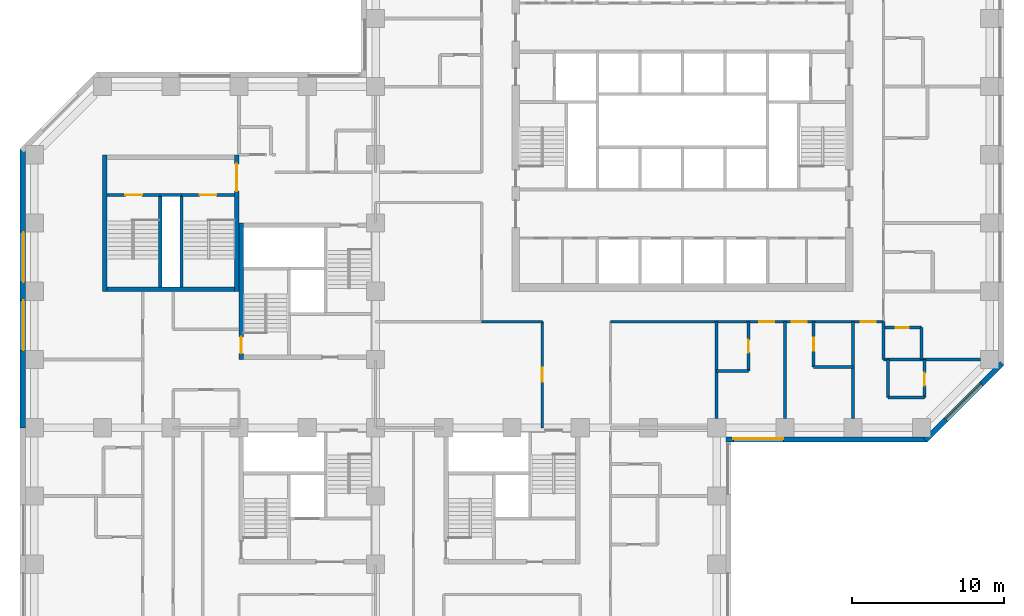
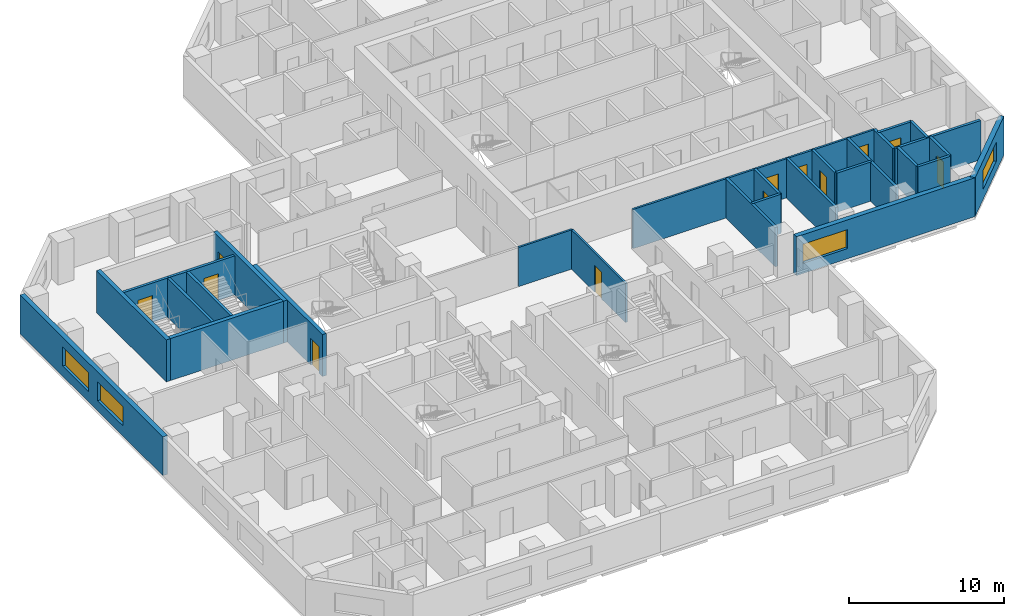
# One storey, part 5 of 12: 29 walls, 12 doors, 4 windows, 16 openings.
"""IFC4 building model written with IfcOpenShell, lengths in metres."""

from ifc_helpers import new_model, si_unit, direction, frame, frame_2d, origin, place, context, subcontext, project, spatial, rectangle, extrude, material, layer, layer_set, constituent, constituent_set, type_object, element, fill, save


model = new_model("IFC4")

# Units and contexts
model_context = context("Model", 3, precision=1e-05, world=origin(), true_north=direction((0.0, 1.0)))
body_context = subcontext(model_context, "Body", "Model", "MODEL_VIEW")
ifc_project = project(units=[si_unit("LENGTHUNIT", "METRE"), si_unit("AREAUNIT", "SQUARE_METRE"), si_unit("VOLUMEUNIT", "CUBIC_METRE"), si_unit("PLANEANGLEUNIT", "RADIAN"), si_unit("MASSUNIT", "GRAM", prefix="KILO")], contexts=[model_context])

# Site, building, storey
site_placement = place(None, origin())
site = spatial("IfcSite", under=ifc_project, at=site_placement, CompositionType="ELEMENT")
building_placement = place(site_placement, origin())
building = spatial("IfcBuilding", under=site, at=building_placement, Name="Quoin Convention Tower", CompositionType="ELEMENT")
storey_placement = place(building_placement, frame((0.0, 0.0, 42.89990234375)))
storey = spatial("IfcBuildingStorey", under=building, at=storey_placement, Name="L10", CompositionType="ELEMENT", Elevation=42.89990234375)

# Wall, opening, window
ifc_material_1 = material(Name="Brick masonry", Category="masonry")
ifc_layer_1 = layer(ifc_material_1, 0.35009765625)
ifc_layer_set_1 = layer_set([ifc_layer_1], Name="Brick masonry")
wall_type_1 = type_object("IfcWallType", Name="Brick facade wall", PredefinedType="STANDARD", material=ifc_layer_set_1)
wall_1_placement = place(storey_placement, frame((59.10009765625, 39.72509765625, 0.0), z_axis=(0.0, 0.0, 1.0), x_axis=(1.0, 0.0, 0.0)))
wall_1 = element("IfcWall", 1, at=wall_1_placement, inside=storey, type_object=wall_type_1, Name="fw-L10-58500_40500", PredefinedType="STANDARD", context=body_context, shape_type="SweptSolid", body=[
    extrude(rectangle(XDim=13.29345703125, YDim=0.35009765625, at=frame_2d((6.646728515625, 0.0))), origin(), (0.0, 0.0, 1.0), 3.05517578125),
])
opening_1_placement = place(wall_1_placement, frame((0.5, 0.0, 0.800048828125)))
opening_1 = element("IfcOpeningElement", 2, at=opening_1_placement, cuts=wall_1, Name="Opening W-01", PredefinedType="OPENING", context=body_context, shape_type="SweptSolid", body=[
    extrude(rectangle(XDim=3.300048828125, YDim=1.5, at=frame_2d((1.64990234375, 0.75))), frame((0.0, 0.18505859375, 0.0), z_axis=(0.0, -1.0, 0.0), x_axis=(1.0, 0.0, 0.0)), (0.0, 0.0, 1.0), 0.3701171875),
])
ifc_material_2 = material(Name="Aluminium", Category="aluminium")
ifc_constituent_1 = constituent(ifc_material_2, Name="Frame")
ifc_material_3 = material(Name="Insulated glass", Category="glass")
ifc_constituent_2 = constituent(ifc_material_3, Name="Glazing")
ifc_constituent_set = constituent_set(constituents=[ifc_constituent_1, ifc_constituent_2], Name="Aluminium")
window_type = type_object("IfcWindowType", Name="Hotel strip window", PartitioningType="DOUBLE_PANEL_VERTICAL", PredefinedType="WINDOW", material=ifc_constituent_set)
window_1_placement = place(opening_1_placement, origin())
window_1 = element("IfcWindow", 3, at=window_1_placement, inside=storey, type_object=window_type, Name="win-L10-60750_39725", OverallHeight=1.5, OverallWidth=3.300048828125, PartitioningType="SINGLE_PANEL", PredefinedType="WINDOW", context=body_context, shape_type="SweptSolid", body=[
    extrude(rectangle(XDim=3.300048828125, YDim=1.5, at=frame_2d((1.64990234375, 0.75))), frame((0.0, 0.0849609375, 0.0), z_axis=(0.0, -1.0, 0.0), x_axis=(1.0, 0.0, 0.0)), (0.0, 0.0, 1.0), 0.06005859375),
])
fill(opening_1, window_1)

wall_2_placement = place(storey_placement, frame((72.269775390625, 39.673583984375, 0.0), z_axis=(0.0, 0.0, 1.0), x_axis=(0.707106781187, 0.707106781187, 0.0)))
wall_2 = element("IfcWall", 4, at=wall_2_placement, inside=storey, type_object=wall_type_1, Name="fw-L10-72000_40500", PredefinedType="STANDARD", context=body_context, shape_type="SweptSolid", body=[
    extrude(rectangle(XDim=7.151123046875, YDim=0.35009765625, at=frame_2d((3.57568359375, 0.0))), origin(), (0.0, 0.0, 1.0), 3.05517578125),
])
opening_2_placement = place(wall_2_placement, frame((1.925537109375, 0.0, 0.800048828125)))
opening_2 = element("IfcOpeningElement", 5, at=opening_2_placement, cuts=wall_2, Name="Opening W-01", PredefinedType="OPENING", context=body_context, shape_type="SweptSolid", body=[
    extrude(rectangle(XDim=3.300048828125, YDim=1.5, at=frame_2d((1.64990234375, 0.75))), frame((0.0, 0.18505859375, 0.0), z_axis=(0.0, -1.0, 0.0), x_axis=(1.0, 0.0, 0.0)), (0.0, 0.0, 1.0), 0.3701171875),
])
window_2_placement = place(opening_2_placement, origin())
window_2 = element("IfcWindow", 6, at=window_2_placement, inside=storey, type_object=window_type, Name="win-L10-74798_42202", OverallHeight=1.5, OverallWidth=3.300048828125, PartitioningType="SINGLE_PANEL", PredefinedType="WINDOW", context=body_context, shape_type="SweptSolid", body=[
    extrude(rectangle(XDim=3.300048828125, YDim=1.5, at=frame_2d((1.64990234375, 0.75))), frame((0.0, 0.0849609375, 0.0), z_axis=(0.0, -1.0, 0.0), x_axis=(1.0, 0.0, 0.0)), (0.0, 0.0, 1.0), 0.06005859375),
])
fill(opening_2, window_2)

# Wall, openings, windows
wall_3_placement = place(storey_placement, frame((12.72509765625, 58.8935546875, 0.0), z_axis=(0.0, 0.0, 1.0), x_axis=(0.0, -1.0, 0.0)))
wall_3 = element("IfcWall", 7, at=wall_3_placement, inside=storey, type_object=wall_type_1, Name="fw-L10-13500_58500", PredefinedType="STANDARD", context=body_context, shape_type="SweptSolid", body=[
    extrude(rectangle(XDim=18.3935546875, YDim=0.35009765625, at=frame_2d((9.19677734375, 0.0))), origin(), (0.0, 0.0, 1.0), 3.05517578125),
])
opening_3_placement = place(wall_3_placement, frame((5.493408203125, 0.0, 0.800048828125)))
opening_3 = element("IfcOpeningElement", 8, at=opening_3_placement, cuts=wall_3, Name="Opening W-01", PredefinedType="OPENING", context=body_context, shape_type="SweptSolid", body=[
    extrude(rectangle(XDim=3.300048828125, YDim=1.5, at=frame_2d((1.64990234375, 0.75))), frame((0.0, 0.18505859375, 0.0), z_axis=(0.0, -1.0, 0.0), x_axis=(1.0, 0.0, 0.0)), (0.0, 0.0, 1.0), 0.3701171875),
])
opening_4_placement = place(wall_3_placement, frame((9.993408203125, 0.0, 0.800048828125)))
opening_4 = element("IfcOpeningElement", 9, at=opening_4_placement, cuts=wall_3, Name="Opening W-01", PredefinedType="OPENING", context=body_context, shape_type="SweptSolid", body=[
    extrude(rectangle(XDim=3.300048828125, YDim=1.5, at=frame_2d((1.64990234375, 0.75))), frame((0.0, 0.18505859375, 0.0), z_axis=(0.0, -1.0, 0.0), x_axis=(1.0, 0.0, 0.0)), (0.0, 0.0, 1.0), 0.3701171875),
])
window_3_placement = place(opening_3_placement, origin())
window_3 = element("IfcWindow", 10, at=window_3_placement, inside=storey, type_object=window_type, Name="win-L10-12725_51750", OverallHeight=1.5, OverallWidth=3.300048828125, PartitioningType="SINGLE_PANEL", PredefinedType="WINDOW", context=body_context, shape_type="SweptSolid", body=[
    extrude(rectangle(XDim=3.300048828125, YDim=1.5, at=frame_2d((1.64990234375, 0.75))), frame((0.0, 0.0849609375, 0.0), z_axis=(0.0, -1.0, 0.0), x_axis=(1.0, 0.0, 0.0)), (0.0, 0.0, 1.0), 0.06005859375),
])
fill(opening_3, window_3)
window_4_placement = place(opening_4_placement, origin())
window_4 = element("IfcWindow", 11, at=window_4_placement, inside=storey, type_object=window_type, Name="win-L10-12725_47250", OverallHeight=1.5, OverallWidth=3.300048828125, PartitioningType="SINGLE_PANEL", PredefinedType="WINDOW", context=body_context, shape_type="SweptSolid", body=[
    extrude(rectangle(XDim=3.300048828125, YDim=1.5, at=frame_2d((1.64990234375, 0.75))), frame((0.0, 0.0849609375, 0.0), z_axis=(0.0, -1.0, 0.0), x_axis=(1.0, 0.0, 0.0)), (0.0, 0.0, 1.0), 0.06005859375),
])
fill(opening_4, window_4)

# Wall
ifc_material_4 = material(Name="Concrete C50", Category="concrete")
ifc_layer_2 = layer(ifc_material_4, 0.199951171875)
ifc_layer_set_2 = layer_set([ifc_layer_2], Name="Concrete C50")
wall_type_2 = type_object("IfcWallType", Name="Core shaft wall", PredefinedType="SOLIDWALL", material=ifc_layer_set_2)
wall_4_placement = place(storey_placement, frame((21.800048828125, 55.85009765625, 0.0), z_axis=(0.0, 0.0, 1.0), x_axis=(1.0, 0.0, 0.0)))
element("IfcWall", 12, at=wall_4_placement, inside=storey, type_object=wall_type_2, Name="cr-P6-L10-h6350_3800", PredefinedType="SOLIDWALL", context=body_context, shape_type="SweptSolid", body=[
    extrude(rectangle(XDim=1.39990234375, YDim=0.199951171875, at=frame_2d((0.699951171875, 0.0))), origin(), (0.0, 0.0, 1.0), 3.080078125),
])

# Wall, opening, door
wall_5_placement = place(storey_placement, frame((18.300048828125, 55.85009765625, 0.0), z_axis=(0.0, 0.0, 1.0), x_axis=(1.0, 0.0, 0.0)))
wall_5 = element("IfcWall", 13, at=wall_5_placement, inside=storey, type_object=wall_type_2, Name="cr-P6-L10-h6350_300", PredefinedType="SOLIDWALL", context=body_context, shape_type="SweptSolid", body=[
    extrude(rectangle(XDim=3.5, YDim=0.199951171875, at=frame_2d((1.75, 0.0))), origin(), (0.0, 0.0, 1.0), 3.080078125),
])
opening_5_placement = place(wall_5_placement, frame((1.199951171875, 0.0, 0.0)))
opening_5 = element("IfcOpeningElement", 14, at=opening_5_placement, cuts=wall_5, Name="Opening SD11", PredefinedType="OPENING", context=body_context, shape_type="SweptSolid", body=[
    extrude(rectangle(XDim=1.10009765625, YDim=2.10009765625, at=frame_2d((0.550048828125, 1.050048828125))), frame((0.0, 0.10986328125, 0.0), z_axis=(0.0, -1.0, 0.0), x_axis=(1.0, 0.0, 0.0)), (0.0, 0.0, 1.0), 0.219970703125),
])
ifc_material_5 = material(Name="Steel door leaf", Category="steel")
door_type_1 = type_object("IfcDoorType", Name="Stair door 1100 x 2100", OperationType="SINGLE_SWING_RIGHT", PredefinedType="DOOR", material=ifc_material_5)
door_1_placement = place(opening_5_placement, origin())
door_1 = element("IfcDoor", 15, at=door_1_placement, inside=storey, type_object=door_type_1, Name="cd-P6-L10-SA-R2-SD11", OperationType="SINGLE_SWING_RIGHT", OverallHeight=2.10009765625, OverallWidth=1.10009765625, PredefinedType="DOOR", context=body_context, shape_type="SweptSolid", body=[
    extrude(rectangle(XDim=1.10009765625, YDim=2.10009765625, at=frame_2d((0.550048828125, 1.050048828125))), frame((0.0, 0.02490234375, 0.0), z_axis=(0.0, -1.0, 0.0), x_axis=(1.0, 0.0, 0.0)), (0.0, 0.0, 1.0), 0.050048828125),
])
fill(opening_5, door_1)

wall_6_placement = place(storey_placement, frame((23.199951171875, 55.85009765625, 0.0), z_axis=(0.0, 0.0, 1.0), x_axis=(1.0, 0.0, 0.0)))
wall_6 = element("IfcWall", 16, at=wall_6_placement, inside=storey, type_object=wall_type_2, Name="cr-P6-L10-h6350_5200", PredefinedType="SOLIDWALL", context=body_context, shape_type="SweptSolid", body=[
    extrude(rectangle(XDim=3.5, YDim=0.199951171875, at=frame_2d((1.75, 0.0))), origin(), (0.0, 0.0, 1.0), 3.080078125),
])
opening_6_placement = place(wall_6_placement, frame((1.199951171875, 0.0, 0.0)))
opening_6 = element("IfcOpeningElement", 17, at=opening_6_placement, cuts=wall_6, Name="Opening SD12", PredefinedType="OPENING", context=body_context, shape_type="SweptSolid", body=[
    extrude(rectangle(XDim=1.10009765625, YDim=2.10009765625, at=frame_2d((0.550048828125, 1.050048828125))), frame((0.0, 0.10986328125, 0.0), z_axis=(0.0, -1.0, 0.0), x_axis=(1.0, 0.0, 0.0)), (0.0, 0.0, 1.0), 0.219970703125),
])
door_2_placement = place(opening_6_placement, origin())
door_2 = element("IfcDoor", 18, at=door_2_placement, inside=storey, type_object=door_type_1, Name="cd-P6-L10-SB-R2-SD12", OperationType="SINGLE_SWING_RIGHT", OverallHeight=2.10009765625, OverallWidth=1.10009765625, PredefinedType="DOOR", context=body_context, shape_type="SweptSolid", body=[
    extrude(rectangle(XDim=1.10009765625, YDim=2.10009765625, at=frame_2d((0.550048828125, 1.050048828125))), frame((0.0, 0.02490234375, 0.0), z_axis=(0.0, -1.0, 0.0), x_axis=(1.0, 0.0, 0.0)), (0.0, 0.0, 1.0), 0.050048828125),
])
fill(opening_6, door_2)

# Walls
for number, where, z_axis, x_axis, name in (
    (19, (21.800048828125, 49.800048828125, 0.0), (0.0, 0.0, 1.0), (0.0, 1.0, 0.0), "cr-P6-L10-v3800_300"),
    (20, (23.199951171875, 49.800048828125, 0.0), (0.0, 0.0, 1.0), (0.0, 1.0, 0.0), "cr-P6-L10-v5200_300"),
):
    element("IfcWall", number, at=place(storey_placement, frame(where, z_axis=z_axis, x_axis=x_axis)), inside=storey, type_object=wall_type_2, Name=name, PredefinedType="SOLIDWALL", context=body_context, shape_type="SweptSolid", body=[
        extrude(rectangle(XDim=6.050048828125, YDim=0.199951171875, at=frame_2d((3.02490234375, 0.0))), origin(), (0.0, 0.0, 1.0), 3.080078125),
    ])

# Wall, opening, door
ifc_material_6 = material(Name="Concrete C80", Category="concrete")
ifc_layer_3 = layer(ifc_material_6, 0.300048828125)
ifc_layer_set_3 = layer_set([ifc_layer_3], Name="Concrete C80")
wall_type_3 = type_object("IfcWallType", Name="RC CORE WALL 300 C80", PredefinedType="SHEAR", material=ifc_layer_set_3)
wall_7_placement = place(storey_placement, frame((27.14990234375, 45.0, 0.0), z_axis=(0.0, 0.0, 1.0), x_axis=(0.0, 1.0, 0.0)))
wall_7 = element("IfcWall", 21, at=wall_7_placement, inside=storey, type_object=wall_type_3, Name="cwl-P2-L10-W", PredefinedType="SHEAR", context=body_context, shape_type="SweptSolid", body=[
    extrude(rectangle(XDim=9.0, YDim=0.300048828125, at=frame_2d((4.5, 0.0))), origin(), (0.0, 0.0, 1.0), 3.300048828125),
])
opening_7_placement = place(wall_7_placement, frame((0.39990234375, 0.0, 0.0)))
opening_7 = element("IfcOpeningElement", 22, at=opening_7_placement, cuts=wall_7, Name="Opening SD3", PredefinedType="OPENING", context=body_context, shape_type="SweptSolid", body=[
    extrude(rectangle(XDim=1.10009765625, YDim=2.10009765625, at=frame_2d((0.550048828125, 1.050048828125))), frame((0.0, 0.159912109375, 0.0), z_axis=(0.0, -1.0, 0.0), x_axis=(1.0, 0.0, 0.0)), (0.0, 0.0, 1.0), 0.320068359375),
])
door_3_placement = place(opening_7_placement, frame((1.10009765625, 0.0, 0.0), z_axis=(0.0, 0.0, 1.0), x_axis=(-1.0, 0.0, 0.0)))
door_3 = element("IfcDoor", 23, at=door_3_placement, inside=storey, type_object=door_type_1, Name="cd-P2-L10-SA-W", OperationType="SINGLE_SWING_RIGHT", OverallHeight=2.10009765625, OverallWidth=1.10009765625, PredefinedType="DOOR", context=body_context, shape_type="SweptSolid", body=[
    extrude(rectangle(XDim=1.10009765625, YDim=2.10009765625, at=frame_2d((0.550048828125, 1.050048828125))), frame((0.0, 0.02490234375, 0.0), z_axis=(0.0, -1.0, 0.0), x_axis=(1.0, 0.0, 0.0)), (0.0, 0.0, 1.0), 0.050048828125),
])
fill(opening_7, door_3)

# Walls
wall_8_placement = place(storey_placement, frame((18.300048828125, 49.64990234375, 0.0), z_axis=(0.0, 0.0, 1.0), x_axis=(1.0, 0.0, 0.0)))
element("IfcWall", 24, at=wall_8_placement, inside=storey, type_object=wall_type_3, Name="cwl-P6-L10-S", PredefinedType="SHEAR", context=body_context, shape_type="SweptSolid", body=[
    extrude(rectangle(XDim=8.39990234375, YDim=0.300048828125, at=frame_2d((4.199951171875, 0.0))), origin(), (0.0, 0.0, 1.0), 3.300048828125),
])
wall_9_placement = place(storey_placement, frame((18.14990234375, 49.5, 0.0), z_axis=(0.0, 0.0, 1.0), x_axis=(0.0, 1.0, 0.0)))
element("IfcWall", 25, at=wall_9_placement, inside=storey, type_object=wall_type_3, Name="cwl-P6-L10-W", PredefinedType="SHEAR", context=body_context, shape_type="SweptSolid", body=[
    extrude(rectangle(XDim=9.0, YDim=0.300048828125, at=frame_2d((4.5, 0.0))), origin(), (0.0, 0.0, 1.0), 3.300048828125),
])

# Wall, opening, door
wall_10_placement = place(storey_placement, frame((26.85009765625, 49.5, 0.0), z_axis=(0.0, 0.0, 1.0), x_axis=(0.0, 1.0, 0.0)))
wall_10 = element("IfcWall", 26, at=wall_10_placement, inside=storey, type_object=wall_type_3, Name="cwl-P6-L10-E", PredefinedType="SHEAR", context=body_context, shape_type="SweptSolid", body=[
    extrude(rectangle(XDim=9.0, YDim=0.300048828125, at=frame_2d((4.5, 0.0))), origin(), (0.0, 0.0, 1.0), 3.300048828125),
])
opening_8_placement = place(wall_10_placement, frame((6.60009765625, 0.0, 0.0)))
opening_8 = element("IfcOpeningElement", 27, at=opening_8_placement, cuts=wall_10, Name="Opening DCV4-45", PredefinedType="OPENING", context=body_context, shape_type="SweptSolid", body=[
    extrude(rectangle(XDim=1.800048828125, YDim=2.10009765625, at=frame_2d((0.89990234375, 1.050048828125))), frame((0.0, 0.159912109375, 0.0), z_axis=(0.0, -1.0, 0.0), x_axis=(1.0, 0.0, 0.0)), (0.0, 0.0, 1.0), 0.320068359375),
])
door_type_2 = type_object("IfcDoorType", Name="Goods lobby door 1800 x 2100", OperationType="SINGLE_SWING_LEFT", PredefinedType="DOOR", material=ifc_material_5)
door_4_placement = place(opening_8_placement, origin())
door_4 = element("IfcDoor", 28, at=door_4_placement, inside=storey, type_object=door_type_2, Name="cd-P6-L10-R2-E", OperationType="SINGLE_SWING_LEFT", OverallHeight=2.10009765625, OverallWidth=1.800048828125, PredefinedType="DOOR", context=body_context, shape_type="SweptSolid", body=[
    extrude(rectangle(XDim=1.800048828125, YDim=2.10009765625, at=frame_2d((0.89990234375, 1.050048828125))), frame((0.0, 0.02490234375, 0.0), z_axis=(0.0, -1.0, 0.0), x_axis=(1.0, 0.0, 0.0)), (0.0, 0.0, 1.0), 0.050048828125),
])
fill(opening_8, door_4)

# Walls
ifc_layer_4 = layer(ifc_material_4, 0.199951171875)
ifc_layer_set_4 = layer_set([ifc_layer_4], Name="Concrete C50")
wall_type_4 = type_object("IfcWallType", Name="RC party wall", PredefinedType="SOLIDWALL", material=ifc_layer_set_4)
for number, where, z_axis, x_axis, name in (
    (29, (63.0, 41.10009765625, 0.0), (0.0, 0.0, 1.0), (0.0, 1.0, 0.0), "pw-L10-073"),
    (30, (67.5, 41.10009765625, 0.0), (0.0, 0.0, 1.0), (0.0, 1.0, 0.0), "pw-L10-074"),
):
    element("IfcWall", number, at=place(storey_placement, frame(where, z_axis=z_axis, x_axis=x_axis)), inside=storey, type_object=wall_type_4, Name=name, PredefinedType="SOLIDWALL", context=body_context, shape_type="SweptSolid", body=[
        extrude(rectangle(XDim=6.39990234375, YDim=0.199951171875, at=frame_2d((3.199951171875, 0.0))), origin(), (0.0, 0.0, 1.0), 3.080078125),
    ])
wall_11_placement = place(storey_placement, frame((69.800048828125, 42.5, 0.0), z_axis=(0.0, 0.0, 1.0), x_axis=(1.0, 0.0, 0.0)))
element("IfcWall", 31, at=wall_11_placement, inside=storey, type_object=wall_type_4, Name="pw-L10-075", PredefinedType="SOLIDWALL", context=body_context, shape_type="SweptSolid", body=[
    extrude(rectangle(XDim=2.39990234375, YDim=0.199951171875, at=frame_2d((1.199951171875, 0.0))), origin(), (0.0, 0.0, 1.0), 3.080078125),
])
wall_12_placement = place(storey_placement, frame((69.800048828125, 42.5, 0.0), z_axis=(0.0, 0.0, 1.0), x_axis=(0.0, 1.0, 0.0)))
element("IfcWall", 32, at=wall_12_placement, inside=storey, type_object=wall_type_4, Name="pw-L10-076", PredefinedType="SOLIDWALL", context=body_context, shape_type="SweptSolid", body=[
    extrude(rectangle(XDim=2.5, YDim=0.199951171875, at=frame_2d((1.25, 0.0))), origin(), (0.0, 0.0, 1.0), 3.080078125),
])

# Wall, opening, door
wall_13_placement = place(storey_placement, frame((72.199951171875, 42.5, 0.0), z_axis=(0.0, 0.0, 1.0), x_axis=(0.0, 1.0, 0.0)))
wall_13 = element("IfcWall", 33, at=wall_13_placement, inside=storey, type_object=wall_type_4, Name="pw-L10-077", PredefinedType="SOLIDWALL", context=body_context, shape_type="SweptSolid", body=[
    extrude(rectangle(XDim=2.5, YDim=0.199951171875, at=frame_2d((1.25, 0.0))), origin(), (0.0, 0.0, 1.0), 3.080078125),
])
opening_9_placement = place(wall_13_placement, frame((0.77490234375, 0.0, 0.0)))
opening_9 = element("IfcOpeningElement", 34, at=opening_9_placement, cuts=wall_13, Name="Opening DHOTEL-F-50", PredefinedType="OPENING", context=body_context, shape_type="SweptSolid", body=[
    extrude(rectangle(XDim=0.85009765625, YDim=2.10009765625, at=frame_2d((0.425048828125, 1.050048828125))), frame((0.0, 0.10986328125, 0.0), z_axis=(0.0, -1.0, 0.0), x_axis=(1.0, 0.0, 0.0)), (0.0, 0.0, 1.0), 0.219970703125),
])
door_type_3 = type_object("IfcDoorType", Name="Bathroom door", OperationType="SINGLE_SWING_LEFT", PredefinedType="DOOR", material=ifc_material_5)
door_5_placement = place(opening_9_placement, frame((0.85009765625, 0.0, 0.0), z_axis=(0.0, 0.0, 1.0), x_axis=(-1.0, 0.0, 0.0)))
door_5 = element("IfcDoor", 35, at=door_5_placement, inside=storey, type_object=door_type_3, Name="dr-L10-066", OperationType="SINGLE_SWING_LEFT", OverallHeight=2.10009765625, OverallWidth=0.85009765625, PredefinedType="DOOR", context=body_context, shape_type="SweptSolid", body=[
    extrude(rectangle(XDim=0.85009765625, YDim=2.10009765625, at=frame_2d((0.425048828125, 1.050048828125))), frame((0.0, 0.02490234375, 0.0), z_axis=(0.0, -1.0, 0.0), x_axis=(1.0, 0.0, 0.0)), (0.0, 0.0, 1.0), 0.050048828125),
])
fill(opening_9, door_5)

# Wall
wall_14_placement = place(storey_placement, frame((58.5, 44.25, 0.0), z_axis=(0.0, 0.0, 1.0), x_axis=(1.0, 0.0, 0.0)))
element("IfcWall", 36, at=wall_14_placement, inside=storey, type_object=wall_type_4, Name="pw-L10-078", PredefinedType="SOLIDWALL", context=body_context, shape_type="SweptSolid", body=[
    extrude(rectangle(XDim=2.10009765625, YDim=0.199951171875, at=frame_2d((1.050048828125, 0.0))), origin(), (0.0, 0.0, 1.0), 3.080078125),
])

# Wall, opening, door
wall_15_placement = place(storey_placement, frame((60.60009765625, 44.25, 0.0), z_axis=(0.0, 0.0, 1.0), x_axis=(0.0, 1.0, 0.0)))
wall_15 = element("IfcWall", 37, at=wall_15_placement, inside=storey, type_object=wall_type_4, Name="pw-L10-079", PredefinedType="SOLIDWALL", context=body_context, shape_type="SweptSolid", body=[
    extrude(rectangle(XDim=3.25, YDim=0.199951171875, at=frame_2d((1.625, 0.0))), origin(), (0.0, 0.0, 1.0), 3.080078125),
])
opening_10_placement = place(wall_15_placement, frame((1.199951171875, 0.0, 0.0)))
opening_10 = element("IfcOpeningElement", 38, at=opening_10_placement, cuts=wall_15, Name="Opening DHOTEL-F-51", PredefinedType="OPENING", context=body_context, shape_type="SweptSolid", body=[
    extrude(rectangle(XDim=0.85009765625, YDim=2.10009765625, at=frame_2d((0.425048828125, 1.050048828125))), frame((0.0, 0.10986328125, 0.0), z_axis=(0.0, -1.0, 0.0), x_axis=(1.0, 0.0, 0.0)), (0.0, 0.0, 1.0), 0.219970703125),
])
door_6_placement = place(opening_10_placement, frame((0.85009765625, 0.0, 0.0), z_axis=(0.0, 0.0, 1.0), x_axis=(-1.0, 0.0, 0.0)))
door_6 = element("IfcDoor", 39, at=door_6_placement, inside=storey, type_object=door_type_3, Name="dr-L10-054", OperationType="SINGLE_SWING_LEFT", OverallHeight=2.10009765625, OverallWidth=0.85009765625, PredefinedType="DOOR", context=body_context, shape_type="SweptSolid", body=[
    extrude(rectangle(XDim=0.85009765625, YDim=2.10009765625, at=frame_2d((0.425048828125, 1.050048828125))), frame((0.0, 0.02490234375, 0.0), z_axis=(0.0, -1.0, 0.0), x_axis=(1.0, 0.0, 0.0)), (0.0, 0.0, 1.0), 0.050048828125),
])
fill(opening_10, door_6)

# Wall
wall_16_placement = place(storey_placement, frame((64.89990234375, 44.5, 0.0), z_axis=(0.0, 0.0, 1.0), x_axis=(1.0, 0.0, 0.0)))
element("IfcWall", 40, at=wall_16_placement, inside=storey, type_object=wall_type_4, Name="pw-L10-080", PredefinedType="SOLIDWALL", context=body_context, shape_type="SweptSolid", body=[
    extrude(rectangle(XDim=2.60009765625, YDim=0.199951171875, at=frame_2d((1.300048828125, 0.0))), origin(), (0.0, 0.0, 1.0), 3.080078125),
])

# Wall, opening, door
wall_17_placement = place(storey_placement, frame((64.89990234375, 44.5, 0.0), z_axis=(0.0, 0.0, 1.0), x_axis=(0.0, 1.0, 0.0)))
wall_17 = element("IfcWall", 41, at=wall_17_placement, inside=storey, type_object=wall_type_4, Name="pw-L10-081", PredefinedType="SOLIDWALL", context=body_context, shape_type="SweptSolid", body=[
    extrude(rectangle(XDim=3.0, YDim=0.199951171875, at=frame_2d((1.5, 0.0))), origin(), (0.0, 0.0, 1.0), 3.080078125),
])
opening_11_placement = place(wall_17_placement, frame((1.074951171875, 0.0, 0.0)))
opening_11 = element("IfcOpeningElement", 42, at=opening_11_placement, cuts=wall_17, Name="Opening DHOTEL-F-52", PredefinedType="OPENING", context=body_context, shape_type="SweptSolid", body=[
    extrude(rectangle(XDim=0.85009765625, YDim=2.10009765625, at=frame_2d((0.425048828125, 1.050048828125))), frame((0.0, 0.10986328125, 0.0), z_axis=(0.0, -1.0, 0.0), x_axis=(1.0, 0.0, 0.0)), (0.0, 0.0, 1.0), 0.219970703125),
])
door_7_placement = place(opening_11_placement, origin())
door_7 = element("IfcDoor", 43, at=door_7_placement, inside=storey, type_object=door_type_3, Name="dr-L10-052", OperationType="SINGLE_SWING_RIGHT", OverallHeight=2.10009765625, OverallWidth=0.85009765625, PredefinedType="DOOR", context=body_context, shape_type="SweptSolid", body=[
    extrude(rectangle(XDim=0.85009765625, YDim=2.10009765625, at=frame_2d((0.425048828125, 1.050048828125))), frame((0.0, 0.02490234375, 0.0), z_axis=(0.0, -1.0, 0.0), x_axis=(1.0, 0.0, 0.0)), (0.0, 0.0, 1.0), 0.050048828125),
])
fill(opening_11, door_7)

# Walls
wall_18_placement = place(storey_placement, frame((69.5, 45.0, 0.0), z_axis=(0.0, 0.0, 1.0), x_axis=(1.0, 0.0, 0.0)))
element("IfcWall", 44, at=wall_18_placement, inside=storey, type_object=wall_type_4, Name="pw-L10-083", PredefinedType="SOLIDWALL", context=body_context, shape_type="SweptSolid", body=[
    extrude(rectangle(XDim=6.39990234375, YDim=0.199951171875, at=frame_2d((3.199951171875, 0.0))), origin(), (0.0, 0.0, 1.0), 3.080078125),
])
wall_19_placement = place(storey_placement, frame((69.5, 45.0, 0.0), z_axis=(0.0, 0.0, 1.0), x_axis=(0.0, 1.0, 0.0)))
element("IfcWall", 45, at=wall_19_placement, inside=storey, type_object=wall_type_4, Name="pw-L10-084", PredefinedType="SOLIDWALL", context=body_context, shape_type="SweptSolid", body=[
    extrude(rectangle(XDim=2.5, YDim=0.199951171875, at=frame_2d((1.25, 0.0))), origin(), (0.0, 0.0, 1.0), 3.080078125),
])
wall_20_placement = place(storey_placement, frame((72.0, 45.0, 0.0), z_axis=(0.0, 0.0, 1.0), x_axis=(0.0, 1.0, 0.0)))
element("IfcWall", 46, at=wall_20_placement, inside=storey, type_object=wall_type_4, Name="pw-L10-085", PredefinedType="SOLIDWALL", context=body_context, shape_type="SweptSolid", body=[
    extrude(rectangle(XDim=2.10009765625, YDim=0.199951171875, at=frame_2d((1.050048828125, 0.0))), origin(), (0.0, 0.0, 1.0), 3.080078125),
])

# Wall, opening, door
wall_21_placement = place(storey_placement, frame((69.5, 47.10009765625, 0.0), z_axis=(0.0, 0.0, 1.0), x_axis=(1.0, 0.0, 0.0)))
wall_21 = element("IfcWall", 47, at=wall_21_placement, inside=storey, type_object=wall_type_4, Name="pw-L10-086", PredefinedType="SOLIDWALL", context=body_context, shape_type="SweptSolid", body=[
    extrude(rectangle(XDim=2.5, YDim=0.199951171875, at=frame_2d((1.25, 0.0))), origin(), (0.0, 0.0, 1.0), 3.080078125),
])
opening_12_placement = place(wall_21_placement, frame((0.824951171875, 0.0, 0.0)))
opening_12 = element("IfcOpeningElement", 48, at=opening_12_placement, cuts=wall_21, Name="Opening DHOTEL-F-53", PredefinedType="OPENING", context=body_context, shape_type="SweptSolid", body=[
    extrude(rectangle(XDim=0.85009765625, YDim=2.10009765625, at=frame_2d((0.425048828125, 1.050048828125))), frame((0.0, 0.10986328125, 0.0), z_axis=(0.0, -1.0, 0.0), x_axis=(1.0, 0.0, 0.0)), (0.0, 0.0, 1.0), 0.219970703125),
])
door_8_placement = place(opening_12_placement, origin())
door_8 = element("IfcDoor", 49, at=door_8_placement, inside=storey, type_object=door_type_3, Name="dr-L10-050", OperationType="SINGLE_SWING_RIGHT", OverallHeight=2.10009765625, OverallWidth=0.85009765625, PredefinedType="DOOR", context=body_context, shape_type="SweptSolid", body=[
    extrude(rectangle(XDim=0.85009765625, YDim=2.10009765625, at=frame_2d((0.425048828125, 1.050048828125))), frame((0.0, 0.02490234375, 0.0), z_axis=(0.0, -1.0, 0.0), x_axis=(1.0, 0.0, 0.0)), (0.0, 0.0, 1.0), 0.050048828125),
])
fill(opening_12, door_8)

ifc_material_7 = material(Name="Plasterboard")
ifc_layer_5 = layer(ifc_material_7, 0.012451171875, Name="Finish")
ifc_material_8 = material(Name="Steel stud framing", Category="steel")
ifc_layer_6 = layer(ifc_material_8, 0.125, Name="Structure")
ifc_layer_7 = layer(ifc_material_7, 0.012451171875, Name="Finish")
ifc_layer_set_5 = layer_set([ifc_layer_5, ifc_layer_6, ifc_layer_7], Name="Steel stud framing")
wall_type_5 = type_object("IfcWallType", Name="corridor partition", PredefinedType="PARTITIONING", material=ifc_layer_set_5)
wall_22_placement = place(storey_placement, frame((47.0, 40.5, 0.0), z_axis=(0.0, 0.0, 1.0), x_axis=(0.0, 1.0, 0.0)))
wall_22 = element("IfcWall", 50, at=wall_22_placement, inside=storey, type_object=wall_type_5, Name="pw-L10-022", PredefinedType="PARTITIONING", context=body_context, shape_type="SweptSolid", body=[
    extrude(rectangle(XDim=7.0, YDim=0.14990234375, at=frame_2d((3.5, 0.0))), origin(), (0.0, 0.0, 1.0), 3.080078125),
])
opening_13_placement = place(wall_22_placement, frame((3.050048828125, 0.0, 0.0)))
opening_13 = element("IfcOpeningElement", 51, at=opening_13_placement, cuts=wall_22, Name="Opening DHOTEL-F-18", PredefinedType="OPENING", context=body_context, shape_type="SweptSolid", body=[
    extrude(rectangle(XDim=0.89990234375, YDim=2.10009765625, at=frame_2d((0.449951171875, 1.050048828125))), frame((0.0, 0.0849609375, 0.0), z_axis=(0.0, -1.0, 0.0), x_axis=(1.0, 0.0, 0.0)), (0.0, 0.0, 1.0), 0.169921875),
])
door_type_4 = type_object("IfcDoorType", Name="Single room door", OperationType="SINGLE_SWING_RIGHT", PredefinedType="DOOR", material=ifc_material_5)
door_9_placement = place(opening_13_placement, origin())
door_9 = element("IfcDoor", 52, at=door_9_placement, inside=storey, type_object=door_type_4, Name="dr-L10-073", OperationType="SINGLE_SWING_RIGHT", OverallHeight=2.10009765625, OverallWidth=0.89990234375, PredefinedType="DOOR", context=body_context, shape_type="SweptSolid", body=[
    extrude(rectangle(XDim=0.89990234375, YDim=2.10009765625, at=frame_2d((0.449951171875, 1.050048828125))), frame((0.0, 0.02490234375, 0.0), z_axis=(0.0, -1.0, 0.0), x_axis=(1.0, 0.0, 0.0)), (0.0, 0.0, 1.0), 0.050048828125),
])
fill(opening_13, door_9)

# Wall
wall_23_placement = place(storey_placement, frame((43.0, 47.5, 0.0), z_axis=(0.0, 0.0, 1.0), x_axis=(1.0, 0.0, 0.0)))
element("IfcWall", 53, at=wall_23_placement, inside=storey, type_object=wall_type_5, Name="pw-L10-026", PredefinedType="PARTITIONING", context=body_context, shape_type="SweptSolid", body=[
    extrude(rectangle(XDim=4.0, YDim=0.14990234375, at=frame_2d((2.0, 0.0))), origin(), (0.0, 0.0, 1.0), 3.080078125),
])

# Wall, openings, doors
wall_24_placement = place(storey_placement, frame((51.5, 47.5, 0.0), z_axis=(0.0, 0.0, 1.0), x_axis=(1.0, 0.0, 0.0)))
wall_24 = element("IfcWall", 54, at=wall_24_placement, inside=storey, type_object=wall_type_5, Name="pw-L10-028", PredefinedType="PARTITIONING", context=body_context, shape_type="SweptSolid", body=[
    extrude(rectangle(XDim=18.0, YDim=0.14990234375, at=frame_2d((9.0, 0.0))), origin(), (0.0, 0.0, 1.0), 3.080078125),
])
opening_14_placement = place(wall_24_placement, frame((11.949951171875, 0.0, 0.0)))
opening_14 = element("IfcOpeningElement", 55, at=opening_14_placement, cuts=wall_24, Name="Opening DHOTEL-F-22", PredefinedType="OPENING", context=body_context, shape_type="SweptSolid", body=[
    extrude(rectangle(XDim=1.0, YDim=2.10009765625, at=frame_2d((0.5, 1.050048828125))), frame((0.0, 0.0849609375, 0.0), z_axis=(0.0, -1.0, 0.0), x_axis=(1.0, 0.0, 0.0)), (0.0, 0.0, 1.0), 0.169921875),
])
opening_15_placement = place(wall_24_placement, frame((9.800048828125, 0.0, 0.0)))
opening_15 = element("IfcOpeningElement", 56, at=opening_15_placement, cuts=wall_24, Name="Opening DHOTEL-F-21", PredefinedType="OPENING", context=body_context, shape_type="SweptSolid", body=[
    extrude(rectangle(XDim=1.0, YDim=2.10009765625, at=frame_2d((0.5, 1.050048828125))), frame((0.0, 0.0849609375, 0.0), z_axis=(0.0, -1.0, 0.0), x_axis=(1.0, 0.0, 0.0)), (0.0, 0.0, 1.0), 0.169921875),
])
opening_16_placement = place(wall_24_placement, frame((16.5, 0.0, 0.0)))
opening_16 = element("IfcOpeningElement", 57, at=opening_16_placement, cuts=wall_24, Name="Opening DHOTEL-F-23", PredefinedType="OPENING", context=body_context, shape_type="SweptSolid", body=[
    extrude(rectangle(XDim=1.0, YDim=2.10009765625, at=frame_2d((0.5, 1.050048828125))), frame((0.0, 0.0849609375, 0.0), z_axis=(0.0, -1.0, 0.0), x_axis=(1.0, 0.0, 0.0)), (0.0, 0.0, 1.0), 0.169921875),
])
door_type_5 = type_object("IfcDoorType", Name="Hotel room door", OperationType="SINGLE_SWING_LEFT", PredefinedType="DOOR", material=ifc_material_5)
door_10_placement = place(opening_14_placement, frame((1.0, 0.0, 0.0), z_axis=(0.0, 0.0, 1.0), x_axis=(-1.0, 0.0, 0.0)))
door_10 = element("IfcDoor", 58, at=door_10_placement, inside=storey, type_object=door_type_5, Name="dr-L10-051", OperationType="SINGLE_SWING_LEFT", OverallHeight=2.10009765625, OverallWidth=1.0, PredefinedType="DOOR", context=body_context, shape_type="SweptSolid", body=[
    extrude(rectangle(XDim=1.0, YDim=2.10009765625, at=frame_2d((0.5, 1.050048828125))), frame((0.0, 0.02490234375, 0.0), z_axis=(0.0, -1.0, 0.0), x_axis=(1.0, 0.0, 0.0)), (0.0, 0.0, 1.0), 0.050048828125),
])
fill(opening_14, door_10)
door_11_placement = place(opening_15_placement, frame((1.0, 0.0, 0.0), z_axis=(0.0, 0.0, 1.0), x_axis=(-1.0, 0.0, 0.0)))
door_11 = element("IfcDoor", 59, at=door_11_placement, inside=storey, type_object=door_type_5, Name="dr-L10-053", OperationType="SINGLE_SWING_LEFT", OverallHeight=2.10009765625, OverallWidth=1.0, PredefinedType="DOOR", context=body_context, shape_type="SweptSolid", body=[
    extrude(rectangle(XDim=1.0, YDim=2.10009765625, at=frame_2d((0.5, 1.050048828125))), frame((0.0, 0.02490234375, 0.0), z_axis=(0.0, -1.0, 0.0), x_axis=(1.0, 0.0, 0.0)), (0.0, 0.0, 1.0), 0.050048828125),
])
fill(opening_15, door_11)
door_12_placement = place(opening_16_placement, frame((1.0, 0.0, 0.0), z_axis=(0.0, 0.0, 1.0), x_axis=(-1.0, 0.0, 0.0)))
door_12 = element("IfcDoor", 60, at=door_12_placement, inside=storey, type_object=door_type_5, Name="dr-L10-065", OperationType="SINGLE_SWING_LEFT", OverallHeight=2.10009765625, OverallWidth=1.0, PredefinedType="DOOR", context=body_context, shape_type="SweptSolid", body=[
    extrude(rectangle(XDim=1.0, YDim=2.10009765625, at=frame_2d((0.5, 1.050048828125))), frame((0.0, 0.02490234375, 0.0), z_axis=(0.0, -1.0, 0.0), x_axis=(1.0, 0.0, 0.0)), (0.0, 0.0, 1.0), 0.050048828125),
])
fill(opening_16, door_12)

# Wall
ifc_layer_8 = layer(ifc_material_7, 0.012451171875, Name="Finish")
ifc_layer_9 = layer(ifc_material_8, 0.175048828125, Name="Structure")
ifc_layer_10 = layer(ifc_material_7, 0.012451171875, Name="Finish")
ifc_layer_set_6 = layer_set([ifc_layer_8, ifc_layer_9, ifc_layer_10], Name="Steel stud framing")
wall_type_6 = type_object("IfcWallType", Name="guest room compartment wall", PredefinedType="PARTITIONING", material=ifc_layer_set_6)
wall_25_placement = place(storey_placement, frame((58.5, 41.10009765625, 0.0), z_axis=(0.0, 0.0, 1.0), x_axis=(0.0, 1.0, 0.0)))
element("IfcWall", 61, at=wall_25_placement, inside=storey, type_object=wall_type_6, Name="pw-L10-002", PredefinedType="PARTITIONING", context=body_context, shape_type="SweptSolid", body=[
    extrude(rectangle(XDim=6.39990234375, YDim=0.199951171875, at=frame_2d((3.199951171875, 0.0))), origin(), (0.0, 0.0, 1.0), 3.080078125),
])

save(model, "model.ifc")
